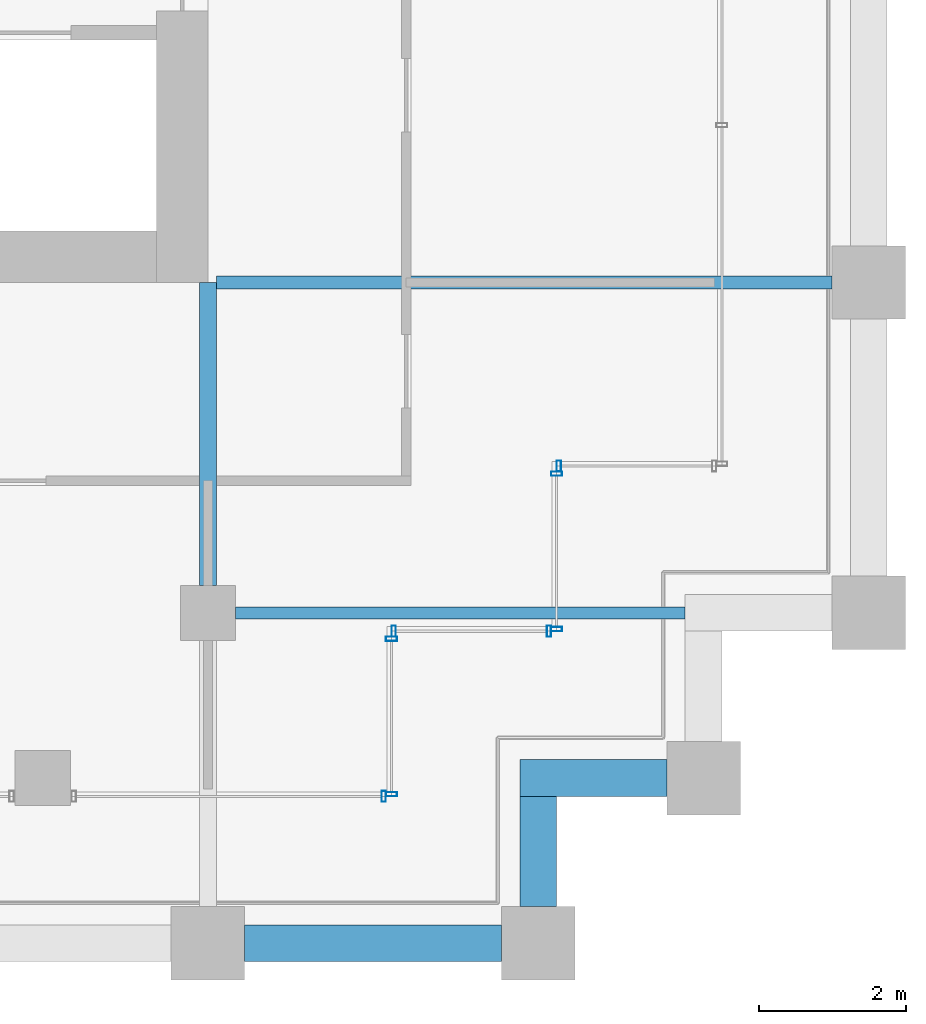
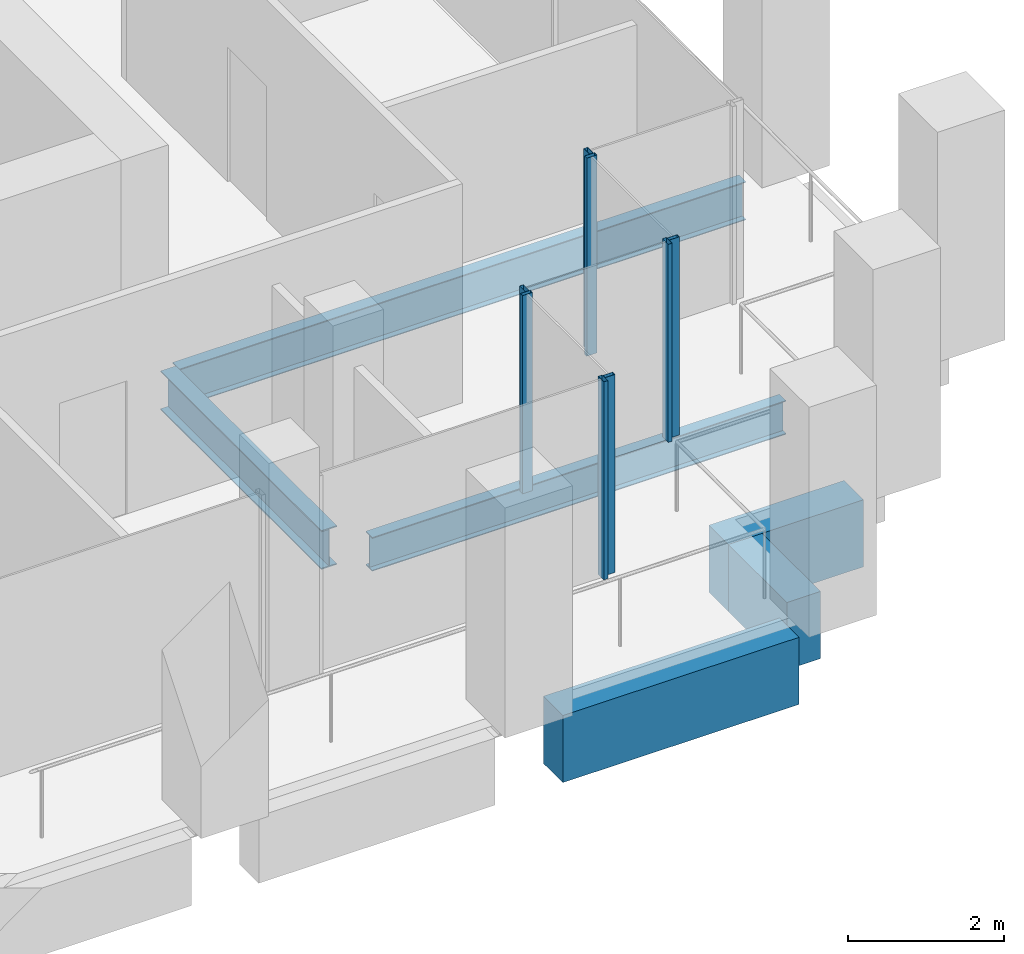
# One storey, part 32 of 47: 8 members, 6 beams, 5 elements without a shape of their own.
"""IFC4 building model written with IfcOpenShell, lengths in metres."""

import ifcopenshell
import ifcopenshell.guid

model = None  # the IFC model being written
_history = None  # IfcOwnerHistory: only IFC2X3 demands one
_inside = {}  # id of a spatial element -> (the spatial element, [elements in it])
_under = {}  # id of a project, library or spatial element -> (it, [spatial elements below it])
_declared = {}  # id of a project -> (the project, [libraries it declares])
_typed = {}  # id of a type object -> (the type object, [elements of that type])
_made_of = {}  # id of a material, layer set ... -> (it, [elements and type objects made of it])


def new_model(schema):
    """Start an empty IFC model of exactly this schema.

    Asked for "IFC4X3", IfcOpenShell would pick the latest addendum, in which some entities
    have other attributes; the version numbers below select the first issue.
    IFC2X3 requires an IfcOwnerHistory on every rooted entity: one is made here for all.
    """
    global model, _history
    if schema == "IFC4X3":
        model = ifcopenshell.file(schema_version=(4, 3, 0, 0))
    else:
        model = ifcopenshell.file(schema=schema)
    _inside.clear()
    _under.clear()
    _declared.clear()
    _typed.clear()
    _made_of.clear()
    _history = None
    if model.schema == "IFC2X3":
        org = make("IfcOrganization", Name="unknown")
        user = make(
            "IfcPersonAndOrganization",
            ThePerson=make("IfcPerson", FamilyName="unknown"),
            TheOrganization=org,
        )
        app = make(
            "IfcApplication",
            ApplicationDeveloper=org,
            Version="unknown",
            ApplicationFullName="unknown",
            ApplicationIdentifier="unknown",
        )
        _history = make(
            "IfcOwnerHistory",
            OwningUser=user,
            OwningApplication=app,
            ChangeAction="ADDED",
            CreationDate=0,
        )
    return model


def make(cls, **values):
    """One entity of the class cls with the attributes given. An attribute that is None is left unset."""
    return model.create_entity(
        cls, **{name: value for name, value in values.items() if value is not None}
    )


def rooted(cls, **values):
    """An entity with a GlobalId (a new one), such as an element, a storey or a relation."""
    return make(cls, GlobalId=ifcopenshell.guid.new(), OwnerHistory=_history, **values)


def si_unit(unit_type, name, prefix=None):
    """IfcSIUnit, for example si_unit("LENGTHUNIT", "METRE", prefix="MILLI")."""
    return make("IfcSIUnit", UnitType=unit_type, Prefix=prefix, Name=name)


def assignment(units):
    """IfcUnitAssignment: the units of a project."""
    return None if units is None else make("IfcUnitAssignment", Units=units)


def point(xyz):
    """IfcCartesianPoint."""
    return None if xyz is None else make("IfcCartesianPoint", Coordinates=xyz)


def direction(xyz):
    """IfcDirection."""
    return None if xyz is None else make("IfcDirection", DirectionRatios=xyz)


def frame(location, z_axis=None, x_axis=None):
    """IfcAxis2Placement3D, a coordinate frame: its origin and axes. An axis left out is left unset."""
    return make(
        "IfcAxis2Placement3D",
        Location=point(location),
        Axis=direction(z_axis),
        RefDirection=direction(x_axis),
    )


def frame_2d(location, x_axis=None):
    """IfcAxis2Placement2D, a coordinate frame in the plane: its origin and x axis."""
    return make(
        "IfcAxis2Placement2D", Location=point(location), RefDirection=direction(x_axis)
    )


def origin():
    """The frame at (0, 0, 0) with its axes left unset."""
    return frame((0.0, 0.0, 0.0))


def origin_2d():
    """The frame at (0, 0) in the plane with its x axis left unset."""
    return frame_2d((0.0, 0.0))


def place(relative_to, where):
    """IfcLocalPlacement: puts the frame where relative to a parent placement (None: the world)."""
    return make(
        "IfcLocalPlacement", PlacementRelTo=relative_to, RelativePlacement=where
    )


def context(
    kind, dimensions, precision=None, world=None, true_north=None, identifier=None
):
    """IfcGeometricRepresentationContext, for example the 3D "Model" context."""
    return make(
        "IfcGeometricRepresentationContext",
        ContextIdentifier=identifier,
        ContextType=kind,
        CoordinateSpaceDimension=dimensions,
        Precision=precision,
        WorldCoordinateSystem=world,
        TrueNorth=true_north,
    )


def subcontext(parent, identifier, kind, view, scale=None):
    """IfcGeometricRepresentationSubContext, for example "Body" below "Model"."""
    return make(
        "IfcGeometricRepresentationSubContext",
        ContextIdentifier=identifier,
        ContextType=kind,
        ParentContext=parent,
        TargetScale=scale,
        TargetView=view,
    )


def project(units=None, contexts=None):
    """IfcProject with its units and contexts."""
    return rooted(
        "IfcProject",
        Name="project",
        RepresentationContexts=contexts,
        UnitsInContext=assignment(units),
    )


def spatial(cls, under=None, at=None, **own):
    """A site, building, storey or space (cls), placed at a placement, below another one or the project."""
    s = rooted(cls, ObjectPlacement=at, **own)
    if under is not None:
        _under.setdefault(under.id(), (under, []))[1].append(s)
    return s


def profile(cls, at=None, kind="AREA", **sizes):
    """A parametric profile (cls). Its sizes go by their IFC names, for example OverallWidth=200.0."""
    return make(cls, ProfileType=kind, Position=at, **sizes)


def rectangle(**sizes):
    """IfcRectangleProfileDef."""
    return profile("IfcRectangleProfileDef", **sizes)


def hollow_rectangle(**sizes):
    """IfcRectangleHollowProfileDef."""
    return profile("IfcRectangleHollowProfileDef", **sizes)


def i_section(**sizes):
    """IfcIShapeProfileDef."""
    return profile("IfcIShapeProfileDef", **sizes)


def extrude(swept, where, along, depth):
    """IfcExtrudedAreaSolid: the profile swept, set in the frame where, extruded along a direction by depth."""
    return make(
        "IfcExtrudedAreaSolid",
        SweptArea=swept,
        Position=where,
        ExtrudedDirection=direction(along),
        Depth=depth,
    )


def shape(context_of_items, identifier, shape_type, items):
    """IfcShapeRepresentation: the items that make up one representation, for example the "Body"."""
    return make(
        "IfcShapeRepresentation",
        ContextOfItems=context_of_items,
        RepresentationIdentifier=identifier,
        RepresentationType=shape_type,
        Items=items,
    )


def material(Name=None, Category=None):
    """IfcMaterial."""
    return make("IfcMaterial", Name=Name, Category=Category)


def material_profile(
    of_material, cross_section, Name=None, Category=None, Priority=None
):
    """IfcMaterialProfile: a cross section and its material."""
    return make(
        "IfcMaterialProfile",
        Name=Name,
        Material=of_material,
        Profile=cross_section,
        Priority=Priority,
        Category=Category,
    )


def profile_set(profiles, Name=None, composite=None):
    """IfcMaterialProfileSet."""
    return make(
        "IfcMaterialProfileSet",
        Name=Name,
        MaterialProfiles=profiles,
        CompositeProfile=composite,
    )


def made_of(thing, what):
    """Note that an element or type object is made of a material, layer set ...; save() writes the relation."""
    if what is not None:
        _made_of.setdefault(what.id(), (what, []))[1].append(thing)
    return thing


def type_object(cls, material=None, **own):
    """A type object (cls), such as IfcWallType, which elements share."""
    return made_of(rooted(cls, **own), material)


def element(
    cls,
    number,
    at=None,
    inside=None,
    cuts=None,
    type_object=None,
    material=None,
    context=None,
    identifier="Body",
    shape_type=None,
    held_by="IfcProductDefinitionShape",
    body=None,
    shapes=None,
    **own,
):
    """One element of the class cls, such as IfcWall. Its Tag is "e" and its number.

    at: its placement. inside: the storey or other place that contains it. cuts: it is an
    opening in that element (IfcRelVoidsElement). A single representation is given by context,
    identifier, shape_type and body (its items); several are given by shapes. held_by: the class
    of the entity that holds the representations. save() writes the other relations.
    """
    e = rooted(cls, Tag="e%d" % number, ObjectPlacement=at, **own)
    if body is not None:
        shapes = [shape(context, identifier, shape_type, body)]
    if shapes is not None:
        e.Representation = make(held_by, Representations=shapes)
    if inside is not None:
        _inside.setdefault(inside.id(), (inside, []))[1].append(e)
    if cuts is not None:
        rooted(
            "IfcRelVoidsElement", RelatingBuildingElement=cuts, RelatedOpeningElement=e
        )
    if type_object is not None:
        _typed.setdefault(type_object.id(), (type_object, []))[1].append(e)
    return made_of(e, material)


def aggregate(whole, parts):
    """IfcRelAggregates: a whole, such as a stair, and the parts it consists of."""
    return rooted("IfcRelAggregates", RelatingObject=whole, RelatedObjects=parts)


def save(model, path):
    """Write the relations noted so far, then the file.

    IfcRelAggregates (storeys below a building ...), IfcRelContainedInSpatialStructure (elements
    in a storey), IfcRelDefinesByType, IfcRelAssociatesMaterial and IfcRelDeclares: one each for
    every whole, place, type object, material and project.
    """
    for whole, parts in _under.values():
        aggregate(whole, parts)
    for where, things in _inside.values():
        rooted(
            "IfcRelContainedInSpatialStructure",
            RelatedElements=things,
            RelatingStructure=where,
        )
    for kind, things in _typed.values():
        rooted("IfcRelDefinesByType", RelatedObjects=things, RelatingType=kind)
    for what, things in _made_of.values():
        rooted("IfcRelAssociatesMaterial", RelatedObjects=things, RelatingMaterial=what)
    for by, libraries in _declared.values():
        rooted("IfcRelDeclares", RelatingContext=by, RelatedDefinitions=libraries)
    model.write(path)


model = new_model("IFC4")

# Units and contexts
model_context = context("Model", 3, precision=1e-05, world=origin(), true_north=direction((0.0, 1.0)))
body_context = subcontext(model_context, "Body", "Model", "MODEL_VIEW")
ifc_project = project(units=[si_unit("LENGTHUNIT", "METRE"), si_unit("AREAUNIT", "SQUARE_METRE"), si_unit("VOLUMEUNIT", "CUBIC_METRE"), si_unit("PLANEANGLEUNIT", "RADIAN"), si_unit("MASSUNIT", "GRAM", prefix="KILO")], contexts=[model_context])

# Site, building, storey
site_placement = place(None, origin())
site = spatial("IfcSite", under=ifc_project, at=site_placement, CompositionType="ELEMENT")
building_placement = place(site_placement, origin())
building = spatial("IfcBuilding", under=site, at=building_placement, Name="Altepetl Exchange Towers", CompositionType="ELEMENT")
storey_placement = place(building_placement, frame((0.0, 0.0, 95.60009765625)))
storey = spatial("IfcBuildingStorey", under=building, at=storey_placement, Name="L23", CompositionType="ELEMENT", Elevation=95.60009765625)

# Beams
ifc_material_1 = material(Name="Steel S355", Category="steel")
ifc_material_profile_1 = material_profile(ifc_material_1, i_section(OverallWidth=0.166015625, OverallDepth=0.529052734375, WebThickness=0.009765625, FlangeThickness=0.013671875, at=origin_2d()), Name="W21X50")
ifc_profile_set_1 = profile_set([ifc_material_profile_1], Name="Steel S355")
beam_type_1 = type_object("IfcBeamType", Name="Floor beam W21X50", PredefinedType="BEAM", material=ifc_profile_set_1)
beam_1_placement = place(storey_placement, frame((117.375, 31.5, -0.41455078125), z_axis=(1.0, 0.0, 0.0), x_axis=(0.0, 1.0, 0.0)))
element("IfcBeam", 1, at=beam_1_placement, inside=storey, type_object=beam_type_1, Name="bm:B:L23:000", PredefinedType="BEAM", context=body_context, shape_type="SweptSolid", body=[
    extrude(i_section(OverallWidth=0.166015625, OverallDepth=0.529052734375, WebThickness=0.009765625, FlangeThickness=0.013671875, at=origin_2d()), origin(), (0.0, 0.0, 1.0), 6.125),
])
ifc_material_profile_2 = material_profile(ifc_material_1, i_section(OverallWidth=0.177978515625, OverallDepth=0.59912109375, WebThickness=0.010009765625, FlangeThickness=0.0126953125, at=origin_2d()), Name="W24X55")
ifc_profile_set_2 = profile_set([ifc_material_profile_2], Name="Steel S355")
beam_type_2 = type_object("IfcBeamType", Name="Floor beam W24X55", PredefinedType="BEAM", material=ifc_profile_set_2)
beam_2_placement = place(storey_placement, frame((117.114013671875, 36.0, -0.44970703125), z_axis=(1.0, 0.0, 0.0), x_axis=(0.0, 1.0, 0.0)))
element("IfcBeam", 2, at=beam_2_placement, inside=storey, type_object=beam_type_2, Name="bm:B:L23:001", PredefinedType="BEAM", context=body_context, shape_type="SweptSolid", body=[
    extrude(i_section(OverallWidth=0.177978515625, OverallDepth=0.59912109375, WebThickness=0.010009765625, FlangeThickness=0.0126953125, at=origin_2d()), origin(), (0.0, 0.0, 1.0), 8.385986328125),
])
ifc_material_profile_3 = material_profile(ifc_material_1, i_section(OverallWidth=0.22802734375, OverallDepth=0.60791015625, WebThickness=0.01123046875, FlangeThickness=0.017333984375, at=origin_2d()), Name="W24X76")
ifc_profile_set_3 = profile_set([ifc_material_profile_3], Name="Steel S355")
beam_type_3 = type_object("IfcBeamType", Name="Girder W24X76", PredefinedType="BEAM", material=ifc_profile_set_3)
beam_3_placement = place(storey_placement, frame((117.0, 36.0, -0.4541015625), z_axis=(0.0, -1.0, 0.0), x_axis=(1.0, 0.0, 0.0)))
element("IfcBeam", 3, at=beam_3_placement, inside=storey, type_object=beam_type_3, Name="gd:B:L23:000", PredefinedType="BEAM", context=body_context, shape_type="SweptSolid", body=[
    extrude(i_section(OverallWidth=0.22802734375, OverallDepth=0.60791015625, WebThickness=0.01123046875, FlangeThickness=0.017333984375, at=origin_2d()), origin(), (0.0, 0.0, 1.0), 4.125),
])

# Curtain wall, member
ifc_material_2 = material(Name="Aluminium 6063-T6 glazing", Category="aluminium")
curtain_wall_type = type_object("IfcCurtainWallType", Name="Loggia glazing system", PredefinedType="NOTDEFINED", material=ifc_material_2)
curtain_wall_1_placement = place(storey_placement, origin())
curtain_wall_1 = element("IfcCurtainWall", 4, at=curtain_wall_1_placement, inside=storey, type_object=curtain_wall_type, Name="CW1 run", PredefinedType="NOTDEFINED")
ifc_material_3 = material(Name="Aluminium 6063-T6", Category="aluminium")
ifc_material_profile_4 = material_profile(ifc_material_3, hollow_rectangle(XDim=0.06005859375, YDim=0.14990234375, WallThickness=0.0029296875, at=origin_2d()), Name="Mullion 60x150 aluminium")
ifc_profile_set_4 = profile_set([ifc_material_profile_4], Name="Aluminium 6063-T6")
member_type = type_object("IfcMemberType", Name="Mullion 60x150 aluminium", PredefinedType="MULLION", material=ifc_profile_set_4)
member_1_placement = place(storey_placement, frame((119.39501953125, 29.0, 0.0)))
member_1 = element("IfcMember", 5, at=member_1_placement, type_object=member_type, Name="MU1 mullion", PredefinedType="MULLION", context=body_context, shape_type="SweptSolid", body=[
    extrude(hollow_rectangle(XDim=0.06005859375, YDim=0.14990234375, WallThickness=0.0029296875, at=origin_2d()), origin(), (0.0, 0.0, 1.0), 3.099853515625),
])
aggregate(curtain_wall_1, [member_1])

# Curtain wall, members
curtain_wall_2_placement = place(storey_placement, origin())
curtain_wall_2 = element("IfcCurtainWall", 6, at=curtain_wall_2_placement, inside=storey, type_object=curtain_wall_type, Name="CW1 run", PredefinedType="NOTDEFINED")
member_2_placement = place(storey_placement, frame((119.5, 29.030029296875, 0.0), z_axis=(0.0, 0.0, 1.0), x_axis=(0.0, 1.0, 0.0)))
member_2 = element("IfcMember", 7, at=member_2_placement, type_object=member_type, Name="MU1 mullion", PredefinedType="MULLION", context=body_context, shape_type="SweptSolid", body=[
    extrude(hollow_rectangle(XDim=0.06005859375, YDim=0.14990234375, WallThickness=0.0029296875, at=origin_2d()), origin(), (0.0, 0.0, 1.0), 3.099853515625),
])
member_3_placement = place(storey_placement, frame((119.5, 31.14501953125, 0.0), z_axis=(0.0, 0.0, 1.0), x_axis=(0.0, 1.0, 0.0)))
member_3 = element("IfcMember", 8, at=member_3_placement, type_object=member_type, Name="MU1 mullion", PredefinedType="MULLION", context=body_context, shape_type="SweptSolid", body=[
    extrude(hollow_rectangle(XDim=0.06005859375, YDim=0.14990234375, WallThickness=0.0029296875, at=origin_2d()), origin(), (0.0, 0.0, 1.0), 3.099853515625),
])
aggregate(curtain_wall_2, [member_2, member_3])

curtain_wall_3_placement = place(storey_placement, origin())
curtain_wall_3 = element("IfcCurtainWall", 9, at=curtain_wall_3_placement, inside=storey, type_object=curtain_wall_type, Name="CW1 run", PredefinedType="NOTDEFINED")
member_4_placement = place(storey_placement, frame((119.530029296875, 31.25, 0.0)))
member_4 = element("IfcMember", 10, at=member_4_placement, type_object=member_type, Name="MU1 mullion", PredefinedType="MULLION", context=body_context, shape_type="SweptSolid", body=[
    extrude(hollow_rectangle(XDim=0.06005859375, YDim=0.14990234375, WallThickness=0.0029296875, at=origin_2d()), origin(), (0.0, 0.0, 1.0), 3.099853515625),
])
member_5_placement = place(storey_placement, frame((121.64501953125, 31.25, 0.0)))
member_5 = element("IfcMember", 11, at=member_5_placement, type_object=member_type, Name="MU1 mullion", PredefinedType="MULLION", context=body_context, shape_type="SweptSolid", body=[
    extrude(hollow_rectangle(XDim=0.06005859375, YDim=0.14990234375, WallThickness=0.0029296875, at=origin_2d()), origin(), (0.0, 0.0, 1.0), 3.099853515625),
])
aggregate(curtain_wall_3, [member_4, member_5])

curtain_wall_4_placement = place(storey_placement, origin())
curtain_wall_4 = element("IfcCurtainWall", 12, at=curtain_wall_4_placement, inside=storey, type_object=curtain_wall_type, Name="CW1 run", PredefinedType="NOTDEFINED")
member_6_placement = place(storey_placement, frame((121.75, 31.280029296875, 0.0), z_axis=(0.0, 0.0, 1.0), x_axis=(0.0, 1.0, 0.0)))
member_6 = element("IfcMember", 13, at=member_6_placement, type_object=member_type, Name="MU1 mullion", PredefinedType="MULLION", context=body_context, shape_type="SweptSolid", body=[
    extrude(hollow_rectangle(XDim=0.06005859375, YDim=0.14990234375, WallThickness=0.0029296875, at=origin_2d()), origin(), (0.0, 0.0, 1.0), 3.099853515625),
])
member_7_placement = place(storey_placement, frame((121.75, 33.39501953125, 0.0), z_axis=(0.0, 0.0, 1.0), x_axis=(0.0, 1.0, 0.0)))
member_7 = element("IfcMember", 14, at=member_7_placement, type_object=member_type, Name="MU1 mullion", PredefinedType="MULLION", context=body_context, shape_type="SweptSolid", body=[
    extrude(hollow_rectangle(XDim=0.06005859375, YDim=0.14990234375, WallThickness=0.0029296875, at=origin_2d()), origin(), (0.0, 0.0, 1.0), 3.099853515625),
])
aggregate(curtain_wall_4, [member_6, member_7])

# Curtain wall, member
curtain_wall_5_placement = place(storey_placement, origin())
curtain_wall_5 = element("IfcCurtainWall", 15, at=curtain_wall_5_placement, inside=storey, type_object=curtain_wall_type, Name="CW1 run", PredefinedType="NOTDEFINED")
member_8_placement = place(storey_placement, frame((121.780029296875, 33.5, 0.0)))
member_8 = element("IfcMember", 16, at=member_8_placement, type_object=member_type, Name="MU1 mullion", PredefinedType="MULLION", context=body_context, shape_type="SweptSolid", body=[
    extrude(hollow_rectangle(XDim=0.06005859375, YDim=0.14990234375, WallThickness=0.0029296875, at=origin_2d()), origin(), (0.0, 0.0, 1.0), 3.099853515625),
])
aggregate(curtain_wall_5, [member_8])

# Beams
ifc_material_4 = material(Name="Concrete C50/60 precast with cantera blanca facing", Category="concrete")
ifc_material_profile_5 = material_profile(ifc_material_4, rectangle(XDim=0.5, YDim=1.050048828125, at=origin_2d()), Name="500 x 1050")
ifc_profile_set_5 = profile_set([ifc_material_profile_5], Name="Concrete C50/60 precast with cantera blanca facing")
beam_type_4 = type_object("IfcBeamType", Name="Spandrel beam 500x1050 cantera blanca", PredefinedType="SPANDREL", material=ifc_profile_set_5)
beam_4_placement = place(storey_placement, frame((117.5, 27.0, -0.675048828125), z_axis=(1.0, 0.0, 0.0), x_axis=(0.0, 1.0, 0.0)))
element("IfcBeam", 17, at=beam_4_placement, inside=storey, type_object=beam_type_4, Name="sp:B:L23:004", PredefinedType="SPANDREL", context=body_context, shape_type="SweptSolid", body=[
    extrude(rectangle(XDim=0.5, YDim=1.050048828125, at=origin_2d()), origin(), (0.0, 0.0, 1.0), 3.5),
])
beam_5_placement = place(storey_placement, frame((121.5, 27.5, -0.675048828125), z_axis=(0.0, 1.0, 0.0), x_axis=(-1.0, 0.0, 0.0)))
element("IfcBeam", 18, at=beam_5_placement, inside=storey, type_object=beam_type_4, Name="sp:B:L23:005", PredefinedType="SPANDREL", context=body_context, shape_type="SweptSolid", body=[
    extrude(rectangle(XDim=0.5, YDim=1.050048828125, at=origin_2d()), origin(), (0.0, 0.0, 1.0), 1.5),
])
beam_6_placement = place(storey_placement, frame((121.25, 29.25, -0.675048828125), z_axis=(1.0, 0.0, 0.0), x_axis=(0.0, 1.0, 0.0)))
element("IfcBeam", 19, at=beam_6_placement, inside=storey, type_object=beam_type_4, Name="sp:B:L23:006", PredefinedType="SPANDREL", context=body_context, shape_type="SweptSolid", body=[
    extrude(rectangle(XDim=0.5, YDim=1.050048828125, at=origin_2d()), origin(), (0.0, 0.0, 1.0), 2.0),
])

save(model, "model.ifc")
